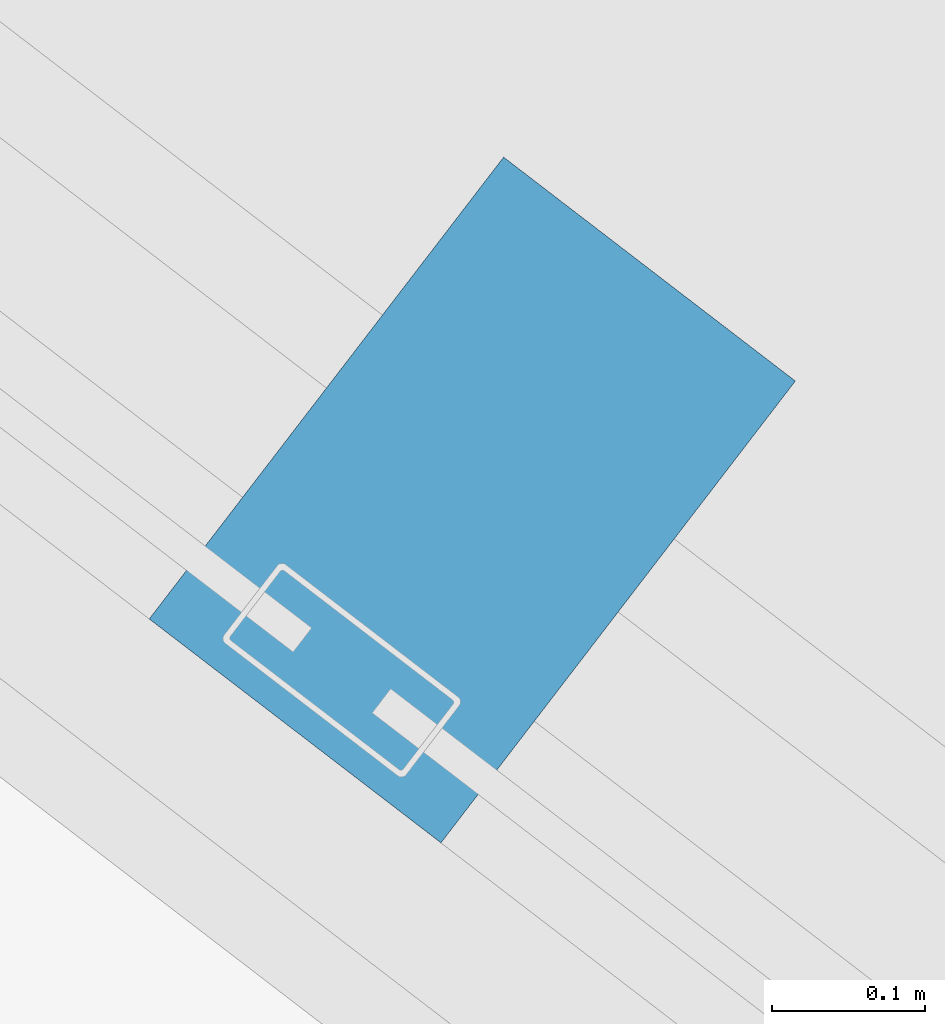
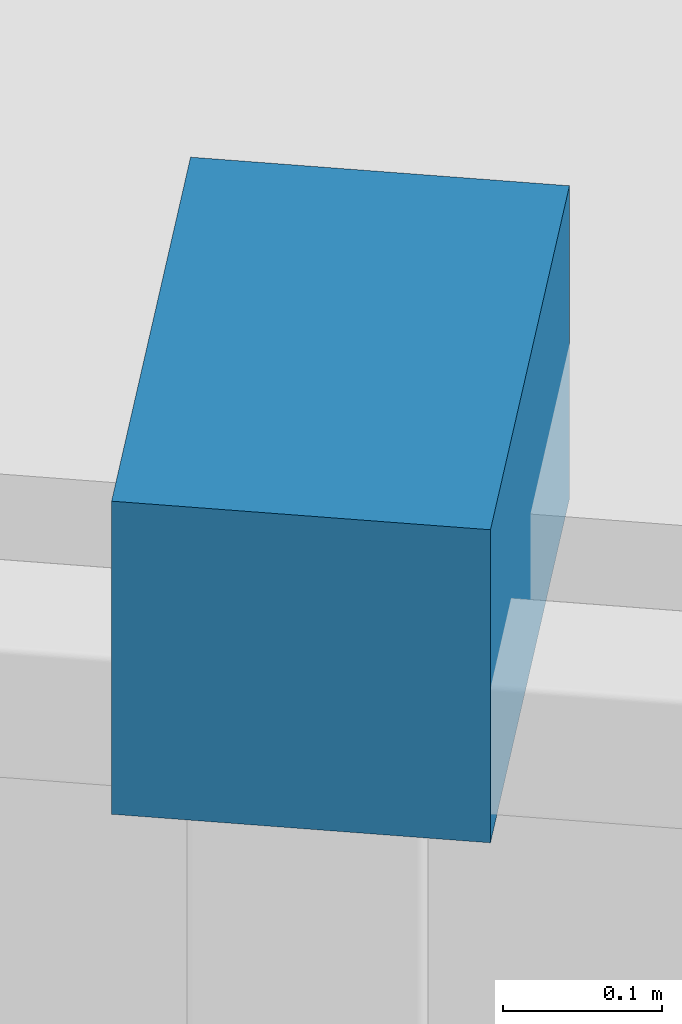
# One storey, part 81 of 88: 1 discrete accessory.
"""IFC4 building model written with IfcOpenShell, lengths in metres."""

from ifc_helpers import new_model, si_unit, direction, frame, origin, origin_2d, place, context, subcontext, project, spatial, rectangle, extrude, material, type_object, element, save


model = new_model("IFC4")

# Units and contexts
model_context = context("Model", 3, precision=1e-05, world=origin(), true_north=direction((0.0, 1.0)))
body_context = subcontext(model_context, "Body", "Model", "MODEL_VIEW")
ifc_project = project(units=[si_unit("LENGTHUNIT", "METRE"), si_unit("AREAUNIT", "SQUARE_METRE"), si_unit("VOLUMEUNIT", "CUBIC_METRE"), si_unit("PLANEANGLEUNIT", "RADIAN"), si_unit("MASSUNIT", "GRAM", prefix="KILO")], contexts=[model_context])

# Site, building, storey
site_placement = place(None, origin())
site = spatial("IfcSite", under=ifc_project, at=site_placement, CompositionType="ELEMENT")
building_placement = place(site_placement, origin())
building = spatial("IfcBuilding", under=site, at=building_placement, Name="Vespera Passage Community Centre", CompositionType="ELEMENT")
storey_placement = place(building_placement, frame((0.0, 0.0, 16.5)))
storey = spatial("IfcBuildingStorey", under=building, at=storey_placement, Name="L04", CompositionType="ELEMENT", Elevation=16.5)

# Discrete accessory
ifc_material = material(Name="Steel ASTM A572 Grade 50", Category="steel")
discrete_accessory_type = type_object("IfcDiscreteAccessoryType", Name="ACC-BRACKET", PredefinedType="BRACKET", material=ifc_material)
discrete_accessory_placement = place(storey_placement, frame((105.908935546875, 101.871826171875, 2.70556640625), z_axis=(0.0, 0.0, 1.0), x_axis=(0.793342715279, -0.608775275544, 0.0)))
element("IfcDiscreteAccessory", 1, at=discrete_accessory_placement, inside=storey, type_object=discrete_accessory_type, Name="V4 L04 Outer Solar Eyebrow 3 Bracket", PredefinedType="BRACKET", context=body_context, shape_type="SweptSolid", body=[
    extrude(rectangle(XDim=0.239990234375, YDim=0.3798828125, at=origin_2d()), origin(), (0.0, 0.0, 1.0), 0.239990234375),
])

save(model, "model.ifc")
